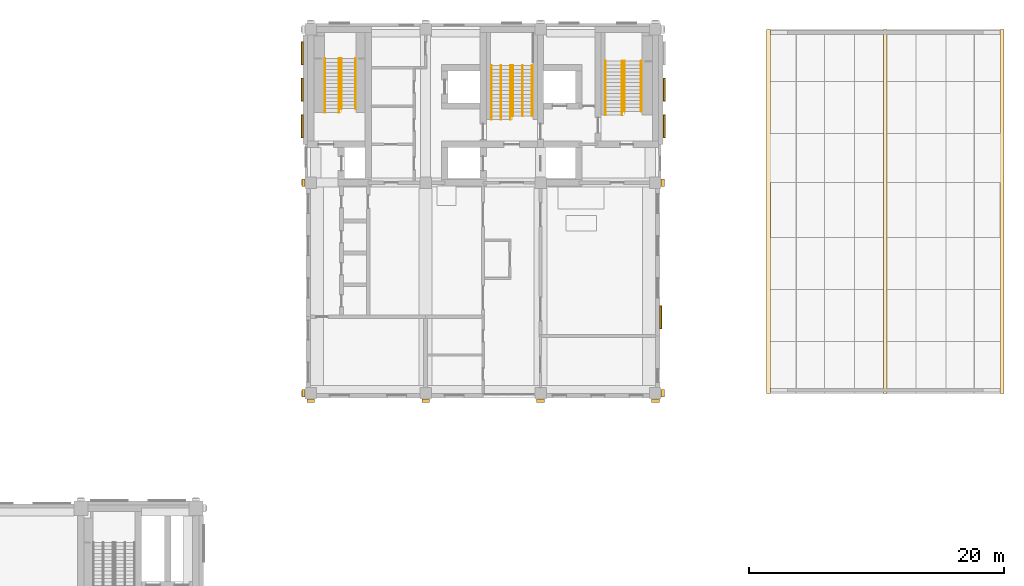
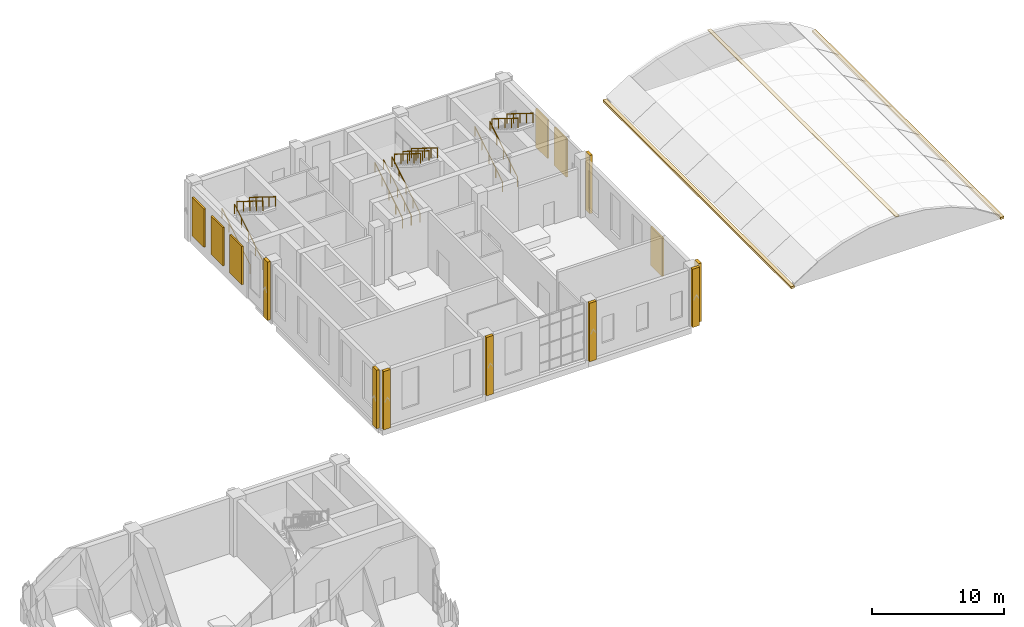
# One storey, part 22 of 25: 17 coverings, 14 railings.
"""IFC4 building model written with IfcOpenShell, lengths in metres."""

from ifc_helpers import new_model, si_unit, direction, frame, origin, origin_2d, place, context, subcontext, project, spatial, rectangle, circle, extrude, material, layer, layer_set, type_object, element, save


model = new_model("IFC4")

# Units and contexts
model_context = context("Model", 3, precision=1e-05, world=origin(), true_north=direction((0.0, 1.0)))
body_context = subcontext(model_context, "Body", "Model", "MODEL_VIEW")
ifc_project = project(units=[si_unit("LENGTHUNIT", "METRE"), si_unit("AREAUNIT", "SQUARE_METRE"), si_unit("VOLUMEUNIT", "CUBIC_METRE"), si_unit("PLANEANGLEUNIT", "RADIAN"), si_unit("MASSUNIT", "GRAM", prefix="KILO")], contexts=[model_context])

# Site, building, storey
site_placement = place(None, origin())
site = spatial("IfcSite", under=ifc_project, at=site_placement, CompositionType="ELEMENT")
building_placement = place(site_placement, origin())
building = spatial("IfcBuilding", under=site, at=building_placement, Name="Aurelan Courthouse", CompositionType="ELEMENT")
storey_placement = place(building_placement, frame((0.0, 0.0, 33.60009765625)))
storey = spatial("IfcBuildingStorey", under=building, at=storey_placement, Name="L06", CompositionType="ELEMENT", Elevation=33.60009765625)

# Coverings
ifc_material_1 = material(Name="Limestone cladding", Category="masonry")
covering_type_1 = type_object("IfcCoveringType", Name="Courtroom Block pilaster fin 600 x 250", PredefinedType="CLADDING", material=ifc_material_1)
for number, where, z_axis, x_axis, name in (
    (1, (36.0, 36.925048828125, 0.0), (0.0, 0.0, 1.0), (1.0, 0.0, 0.0), "Pilaster fin FN-V2-054"),
    (2, (45.0, 36.925048828125, 0.0), (0.0, 0.0, 1.0), (1.0, 0.0, 0.0), "Pilaster fin FN-V2-055"),
    (3, (54.0, 36.925048828125, 0.0), (0.0, 0.0, 1.0), (1.0, 0.0, 0.0), "Pilaster fin FN-V2-056"),
    (4, (63.0, 36.925048828125, 0.0), (0.0, 0.0, 1.0), (1.0, 0.0, 0.0), "Pilaster fin FN-V2-057"),
):
    element("IfcCovering", number, at=place(storey_placement, frame(where, z_axis=z_axis, x_axis=x_axis)), inside=storey, type_object=covering_type_1, Name=name, PredefinedType="CLADDING", context=body_context, shape_type="SweptSolid", body=[
        extrude(rectangle(XDim=0.60009765625, YDim=0.25, at=origin_2d()), origin(), (0.0, 0.0, 1.0), 5.39990234375),
    ])
for number, where, z_axis, x_axis, name in (
    (5, (63.574951171875, 37.5, 0.0), (0.0, 0.0, 1.0), (1.0, 0.0, 0.0), "Pilaster fin FN-V2-062"),
    (6, (63.574951171875, 54.0, 0.0), (0.0, 0.0, 1.0), (1.0, 0.0, 0.0), "Pilaster fin FN-V2-063"),
    (7, (35.425048828125, 37.5, 0.0), (0.0, 0.0, 1.0), (1.0, 0.0, 0.0), "Pilaster fin FN-V2-065"),
    (8, (35.425048828125, 54.0, 0.0), (0.0, 0.0, 1.0), (1.0, 0.0, 0.0), "Pilaster fin FN-V2-066"),
):
    element("IfcCovering", number, at=place(storey_placement, frame(where, z_axis=z_axis, x_axis=x_axis)), inside=storey, type_object=covering_type_1, Name=name, PredefinedType="CLADDING", context=body_context, shape_type="SweptSolid", body=[
        extrude(rectangle(XDim=0.25, YDim=0.60009765625, at=origin_2d()), origin(), (0.0, 0.0, 1.0), 5.39990234375),
    ])
ifc_material_2 = material(Name="Bronze sheet cladding")
ifc_layer_1 = layer(ifc_material_2, 0.14990234375)
ifc_layer_set_1 = layer_set([ifc_layer_1], Name="Bronze sheet cladding")
covering_type_2 = type_object("IfcCoveringType", Name="Relief panel 1800 x 3550 x 150", PredefinedType="CLADDING", material=ifc_layer_set_1)
for number, where, z_axis, x_axis, name in (
    (9, (63.425048828125, 43.44384765625, 1.0), (0.0, 0.0, 1.0), (1.0, 0.0, 0.0), "Relief panel RP-V2-036"),
    (10, (35.324951171875, 58.425048828125, 1.0), (0.0, 0.0, 1.0), (1.0, 0.0, 0.0), "Relief panel RP-V2-037"),
    (11, (35.324951171875, 61.27490234375, 1.0), (0.0, 0.0, 1.0), (1.0, 0.0, 0.0), "Relief panel RP-V2-038"),
    (12, (35.324951171875, 64.125, 1.0), (0.0, 0.0, 1.0), (1.0, 0.0, 0.0), "Relief panel RP-V2-039"),
    (13, (63.675048828125, 58.425048828125, 1.0), (0.0, 0.0, 1.0), (1.0, 0.0, 0.0), "Relief panel RP-V2-040"),
    (14, (63.675048828125, 61.27490234375, 1.0), (0.0, 0.0, 1.0), (1.0, 0.0, 0.0), "Relief panel RP-V2-041"),
):
    element("IfcCovering", number, at=place(storey_placement, frame(where, z_axis=z_axis, x_axis=x_axis)), inside=storey, type_object=covering_type_2, Name=name, PredefinedType="CLADDING", context=body_context, shape_type="SweptSolid", body=[
        extrude(rectangle(XDim=0.14990234375, YDim=1.800048828125, at=origin_2d()), origin(), (0.0, 0.0, 1.0), 3.550048828125),
    ])

# Railings
ifc_material_3 = material(Name="Steel S355", Category="steel")
railing_type = type_object("IfcRailingType", Name="Stair handrail 900", PredefinedType="HANDRAIL", material=ifc_material_3)
for number, where, name in (
    (15, (37.110107421875, 59.510009765625, 0.174072265625), "Handrail CS-2-L06-H1"),
    (16, (38.2099609375, 59.510009765625, 0.174072265625), "Handrail CS-2-L06-H2"),
):
    element("IfcRailing", number, at=place(storey_placement, frame(where)), inside=storey, type_object=railing_type, Name=name, PredefinedType="HANDRAIL", context=body_context, shape_type="SweptSolid", body=[
        extrude(circle(Radius=0.02392578125, at=origin_2d()), frame((0.0, 0.0, 0.8759765625), z_axis=(0.0, 0.849080710111, 0.528263142494), x_axis=(-1.0, 0.0, 0.0)), (0.0, 0.0, 1.0), 4.946533203125),
        extrude(circle(Radius=0.02099609375, at=origin_2d()), origin(), (0.0, 0.0, 1.0), 0.851806640625),
        extrude(circle(Radius=0.02099609375, at=origin_2d()), frame((0.0, 1.050048828125, 0.6533203125)), (0.0, 0.0, 1.0), 0.851806640625),
        extrude(circle(Radius=0.02099609375, at=origin_2d()), frame((0.0, 2.10009765625, 1.306640625)), (0.0, 0.0, 1.0), 0.851806640625),
        extrude(circle(Radius=0.02099609375, at=origin_2d()), frame((0.0, 3.14990234375, 1.959716796875)), (0.0, 0.0, 1.0), 0.851806640625),
        extrude(circle(Radius=0.02099609375, at=origin_2d()), frame((0.0, 4.199951171875, 2.613037109375)), (0.0, 0.0, 1.0), 0.851806640625),
    ])
for number, where, name in (
    (17, (38.409912109375, 63.7099609375, 2.961181640625), "Handrail CS-2-L06-H3"),
    (18, (39.510009765625, 63.7099609375, 2.961181640625), "Handrail CS-2-L06-H4"),
):
    element("IfcRailing", number, at=place(storey_placement, frame(where)), inside=storey, type_object=railing_type, Name=name, PredefinedType="HANDRAIL", context=body_context, shape_type="SweptSolid", body=[
        extrude(circle(Radius=0.02392578125, at=origin_2d()), frame((0.0, 0.0, 0.8759765625), z_axis=(0.0, -0.849089811655, 0.528248513243), x_axis=(1.0, 0.0, 0.0)), (0.0, 0.0, 1.0), 4.61669921875),
        extrude(circle(Radius=0.02099609375, at=origin_2d()), origin(), (0.0, 0.0, 1.0), 0.851806640625),
        extrude(circle(Radius=0.02099609375, at=origin_2d()), frame((0.0, -0.97998046875, 0.609619140625)), (0.0, 0.0, 1.0), 0.851806640625),
        extrude(circle(Radius=0.02099609375, at=origin_2d()), frame((0.0, -1.9599609375, 1.21923828125)), (0.0, 0.0, 1.0), 0.851806640625),
        extrude(circle(Radius=0.02099609375, at=origin_2d()), frame((0.0, -2.93994140625, 1.8291015625)), (0.0, 0.0, 1.0), 0.851806640625),
        extrude(circle(Radius=0.02099609375, at=origin_2d()), frame((0.0, -3.919921875, 2.438720703125)), (0.0, 0.0, 1.0), 0.851806640625),
    ])
for number, where, name in (
    (19, (50.14990234375, 58.9599609375, 0.174072265625), "Handrail ST-2A-L06-H1"),
    (20, (51.64990234375, 58.9599609375, 0.174072265625), "Handrail ST-2A-L06-H2"),
    (21, (50.89990234375, 58.9599609375, 0.174072265625), "Handrail ST-2A-L06-H3"),
):
    element("IfcRailing", number, at=place(storey_placement, frame(where)), inside=storey, type_object=railing_type, Name=name, PredefinedType="HANDRAIL", context=body_context, shape_type="SweptSolid", body=[
        extrude(circle(Radius=0.02392578125, at=origin_2d()), frame((0.0, 0.0, 0.8759765625), z_axis=(0.0, 0.849080710111, 0.528263142494), x_axis=(-1.0, 0.0, 0.0)), (0.0, 0.0, 1.0), 4.946533203125),
        extrude(circle(Radius=0.02099609375, at=origin_2d()), origin(), (0.0, 0.0, 1.0), 0.851806640625),
        extrude(circle(Radius=0.02099609375, at=origin_2d()), frame((0.0, 1.050048828125, 0.6533203125)), (0.0, 0.0, 1.0), 0.851806640625),
        extrude(circle(Radius=0.02099609375, at=origin_2d()), frame((0.0, 2.10009765625, 1.306640625)), (0.0, 0.0, 1.0), 0.851806640625),
        extrude(circle(Radius=0.02099609375, at=origin_2d()), frame((0.0, 3.14990234375, 1.959716796875)), (0.0, 0.0, 1.0), 0.851806640625),
        extrude(circle(Radius=0.02099609375, at=origin_2d()), frame((0.0, 4.199951171875, 2.613037109375)), (0.0, 0.0, 1.0), 0.851806640625),
    ])
for number, where, name in (
    (22, (51.85009765625, 63.159912109375, 2.961181640625), "Handrail ST-2A-L06-H4"),
    (23, (53.35009765625, 63.159912109375, 2.961181640625), "Handrail ST-2A-L06-H5"),
    (24, (52.60009765625, 63.159912109375, 2.961181640625), "Handrail ST-2A-L06-H6"),
):
    element("IfcRailing", number, at=place(storey_placement, frame(where)), inside=storey, type_object=railing_type, Name=name, PredefinedType="HANDRAIL", context=body_context, shape_type="SweptSolid", body=[
        extrude(circle(Radius=0.02392578125, at=origin_2d()), frame((0.0, 0.0, 0.8759765625), z_axis=(0.0, -0.849089811655, 0.528248513243), x_axis=(1.0, 0.0, 0.0)), (0.0, 0.0, 1.0), 4.61669921875),
        extrude(circle(Radius=0.02099609375, at=origin_2d()), origin(), (0.0, 0.0, 1.0), 0.851806640625),
        extrude(circle(Radius=0.02099609375, at=origin_2d()), frame((0.0, -0.97998046875, 0.609619140625)), (0.0, 0.0, 1.0), 0.851806640625),
        extrude(circle(Radius=0.02099609375, at=origin_2d()), frame((0.0, -1.9599609375, 1.21923828125)), (0.0, 0.0, 1.0), 0.851806640625),
        extrude(circle(Radius=0.02099609375, at=origin_2d()), frame((0.0, -2.93994140625, 1.8291015625)), (0.0, 0.0, 1.0), 0.851806640625),
        extrude(circle(Radius=0.02099609375, at=origin_2d()), frame((0.0, -3.919921875, 2.438720703125)), (0.0, 0.0, 1.0), 0.851806640625),
    ])
for number, where, name in (
    (25, (59.090087890625, 59.31005859375, 0.174072265625), "Handrail ST-2E-L06-H1"),
    (26, (60.389892578125, 59.31005859375, 0.174072265625), "Handrail ST-2E-L06-H2"),
):
    element("IfcRailing", number, at=place(storey_placement, frame(where)), inside=storey, type_object=railing_type, Name=name, PredefinedType="HANDRAIL", context=body_context, shape_type="SweptSolid", body=[
        extrude(circle(Radius=0.02392578125, at=origin_2d()), frame((0.0, 0.0, 0.8759765625), z_axis=(0.0, 0.849080710111, 0.528263142494), x_axis=(-1.0, 0.0, 0.0)), (0.0, 0.0, 1.0), 4.946533203125),
        extrude(circle(Radius=0.02099609375, at=origin_2d()), origin(), (0.0, 0.0, 1.0), 0.851806640625),
        extrude(circle(Radius=0.02099609375, at=origin_2d()), frame((0.0, 1.050048828125, 0.6533203125)), (0.0, 0.0, 1.0), 0.851806640625),
        extrude(circle(Radius=0.02099609375, at=origin_2d()), frame((0.0, 2.10009765625, 1.306640625)), (0.0, 0.0, 1.0), 0.851806640625),
        extrude(circle(Radius=0.02099609375, at=origin_2d()), frame((0.0, 3.14990234375, 1.959716796875)), (0.0, 0.0, 1.0), 0.851806640625),
        extrude(circle(Radius=0.02099609375, at=origin_2d()), frame((0.0, 4.199951171875, 2.613037109375)), (0.0, 0.0, 1.0), 0.851806640625),
    ])
for number, where, name in (
    (27, (60.590087890625, 63.510009765625, 2.961181640625), "Handrail ST-2E-L06-H3"),
    (28, (61.889892578125, 63.510009765625, 2.961181640625), "Handrail ST-2E-L06-H4"),
):
    element("IfcRailing", number, at=place(storey_placement, frame(where)), inside=storey, type_object=railing_type, Name=name, PredefinedType="HANDRAIL", context=body_context, shape_type="SweptSolid", body=[
        extrude(circle(Radius=0.02392578125, at=origin_2d()), frame((0.0, 0.0, 0.8759765625), z_axis=(0.0, -0.849089811655, 0.528248513243), x_axis=(1.0, 0.0, 0.0)), (0.0, 0.0, 1.0), 4.61669921875),
        extrude(circle(Radius=0.02099609375, at=origin_2d()), origin(), (0.0, 0.0, 1.0), 0.851806640625),
        extrude(circle(Radius=0.02099609375, at=origin_2d()), frame((0.0, -0.97998046875, 0.609619140625)), (0.0, 0.0, 1.0), 0.851806640625),
        extrude(circle(Radius=0.02099609375, at=origin_2d()), frame((0.0, -1.9599609375, 1.21923828125)), (0.0, 0.0, 1.0), 0.851806640625),
        extrude(circle(Radius=0.02099609375, at=origin_2d()), frame((0.0, -2.93994140625, 1.8291015625)), (0.0, 0.0, 1.0), 0.851806640625),
        extrude(circle(Radius=0.02099609375, at=origin_2d()), frame((0.0, -3.919921875, 2.438720703125)), (0.0, 0.0, 1.0), 0.851806640625),
    ])

# Coverings
ifc_material_4 = material(Name="Zinc standing-seam cladding")
covering_type_3 = type_object("IfcCoveringType", Name="Vault gutter 300 x 200", PredefinedType="ROOFING", material=ifc_material_4)
for number, where, z_axis, x_axis, name in (
    (29, (71.85009765625, 51.75, 0.0), (0.0, 0.0, 1.0), (1.0, 0.0, 0.0), "Vault gutter VG-1"),
    (30, (90.14990234375, 51.75, 0.0), (0.0, 0.0, 1.0), (1.0, 0.0, 0.0), "Vault gutter VG-2"),
):
    element("IfcCovering", number, at=place(storey_placement, frame(where, z_axis=z_axis, x_axis=x_axis)), inside=storey, type_object=covering_type_3, Name=name, PredefinedType="ROOFING", context=body_context, shape_type="SweptSolid", body=[
        extrude(rectangle(XDim=0.300048828125, YDim=28.5, at=origin_2d()), origin(), (0.0, 0.0, 1.0), 0.199951171875),
    ])
ifc_layer_2 = layer(ifc_material_4, 0.050048828125)
ifc_layer_set_2 = layer_set([ifc_layer_2], Name="Zinc standing-seam cladding")
covering_type_4 = type_object("IfcCoveringType", Name="Vault ridge cap 300", PredefinedType="ROOFING", material=ifc_layer_set_2)
covering_placement = place(storey_placement, frame((81.0, 51.75, 3.41796875), z_axis=(0.0, 0.0, 1.0), x_axis=(1.0, 0.0, 0.0)))
element("IfcCovering", 31, at=covering_placement, inside=storey, type_object=covering_type_4, Name="Vault ridge cap VRC-1", PredefinedType="ROOFING", context=body_context, shape_type="SweptSolid", body=[
    extrude(rectangle(XDim=0.300048828125, YDim=28.5, at=origin_2d()), origin(), (0.0, 0.0, 1.0), 0.050048828125),
])

save(model, "model.ifc")
